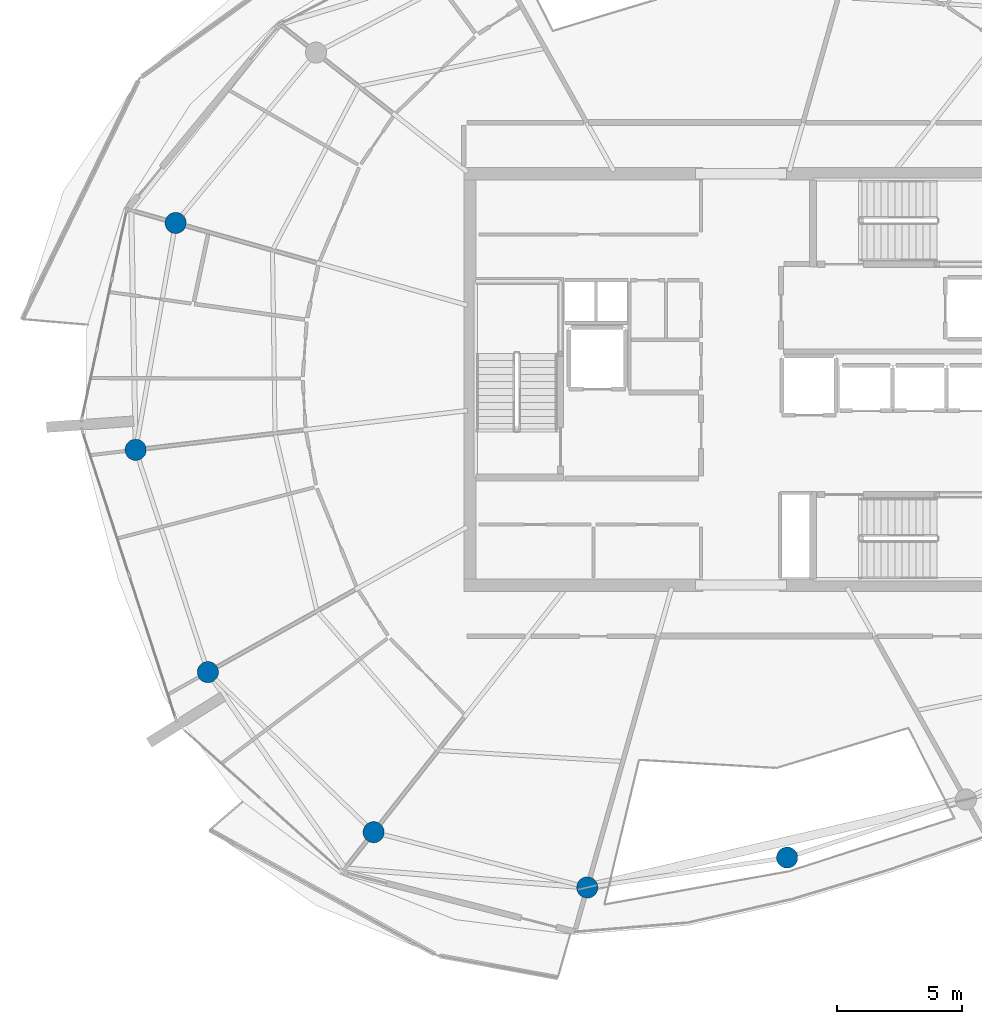
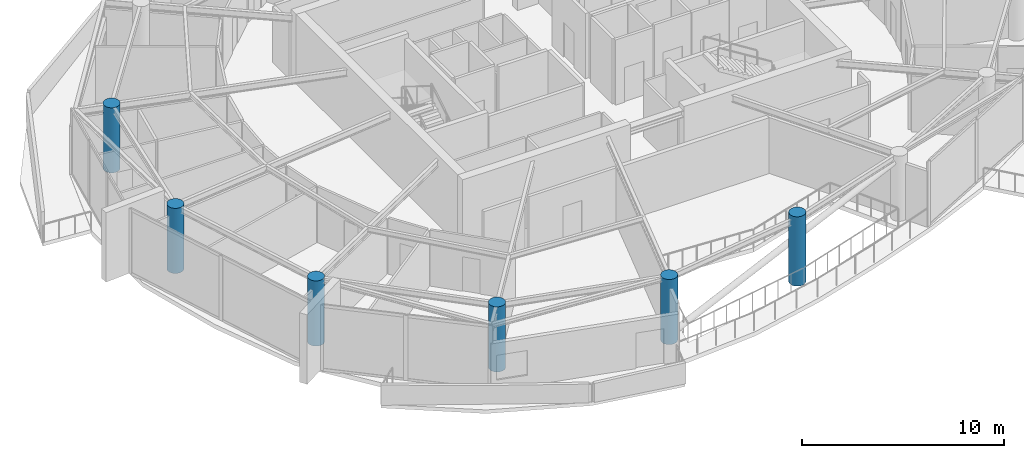
# One storey, part 1 of 22: 6 columns.
"""IFC4 building model written with IfcOpenShell, lengths in metres."""

from ifc_helpers import new_model, si_unit, direction, frame, origin, origin_2d, place, context, subcontext, project, spatial, circle, extrude, material, material_profile, profile_set, type_object, element, save


model = new_model("IFC4")

# Units and contexts
model_context = context("Model", 3, precision=1e-05, world=origin(), true_north=direction((0.0, 1.0)))
body_context = subcontext(model_context, "Body", "Model", "MODEL_VIEW")
ifc_project = project(units=[si_unit("LENGTHUNIT", "METRE"), si_unit("AREAUNIT", "SQUARE_METRE"), si_unit("VOLUMEUNIT", "CUBIC_METRE"), si_unit("PLANEANGLEUNIT", "RADIAN"), si_unit("MASSUNIT", "GRAM", prefix="KILO")], contexts=[model_context])

# Site, building, storey
site_placement = place(None, origin())
site = spatial("IfcSite", under=ifc_project, at=site_placement, CompositionType="ELEMENT")
building_placement = place(site_placement, origin())
building = spatial("IfcBuilding", under=site, at=building_placement, Name="Kazma Halo Residences", CompositionType="ELEMENT")
storey_placement = place(building_placement, frame((0.0, 0.0, 322.10009765625)))
storey = spatial("IfcBuildingStorey", under=building, at=storey_placement, Name="L81", CompositionType="ELEMENT", Elevation=322.10009765625)

# Columns
ifc_material = material(Name="Concrete C60/75", Category="concrete")
ifc_material_profile = material_profile(ifc_material, circle(Radius=0.425048828125, at=origin_2d()), Name="CIRC850")
ifc_profile_set = profile_set([ifc_material_profile], Name="Concrete C60/75")
column_type = type_object("IfcColumnType", Name="COL-PERIM-850", PredefinedType="COLUMN", material=ifc_profile_set)
for number, where, z_axis, x_axis, name in (
    (1, (25.744384765625, 48.276611328125, 0.0), (0.0, 0.0, 1.0), (1.0, 0.0, 0.0), "L81 perimeter ring column P07"),
    (2, (24.1396484375, 39.17578125, 0.0), (0.0, 0.0, 1.0), (1.0, 0.0, 0.0), "L81 perimeter ring column P08"),
    (3, (27.03662109375, 30.260009765625, 0.0), (0.0, 0.0, 1.0), (1.0, 0.0, 0.0), "L81 perimeter ring column P09"),
    (4, (33.68408203125, 23.840576171875, 0.0), (0.0, 0.0, 1.0), (1.0, 0.0, 0.0), "L81 perimeter ring column P10"),
    (5, (42.25341796875, 21.62353515625, 0.0), (0.0, 0.0, 1.0), (1.0, 0.0, 0.0), "L81 perimeter ring column P11"),
):
    element("IfcColumn", number, at=place(storey_placement, frame(where, z_axis=z_axis, x_axis=x_axis)), inside=storey, type_object=column_type, Name=name, PredefinedType="COLUMN", context=body_context, shape_type="SweptSolid", body=[
        extrude(circle(Radius=0.425048828125, at=origin_2d()), origin(), (0.0, 0.0, 1.0), 3.93994140625),
    ])
column_placement = place(storey_placement, frame((50.27001953125, 22.82080078125, 0.0), z_axis=(0.0, 0.0, 1.0), x_axis=(1.0, 0.0, 0.0)))
element("IfcColumn", 6, at=column_placement, inside=storey, type_object=column_type, Name="L81 perimeter ring column P12", PredefinedType="COLUMN", context=body_context, shape_type="SweptSolid", body=[
    extrude(circle(Radius=0.425048828125, at=origin_2d()), origin(), (0.0, 0.0, 1.0), 4.19580078125),
])

save(model, "model.ifc")
